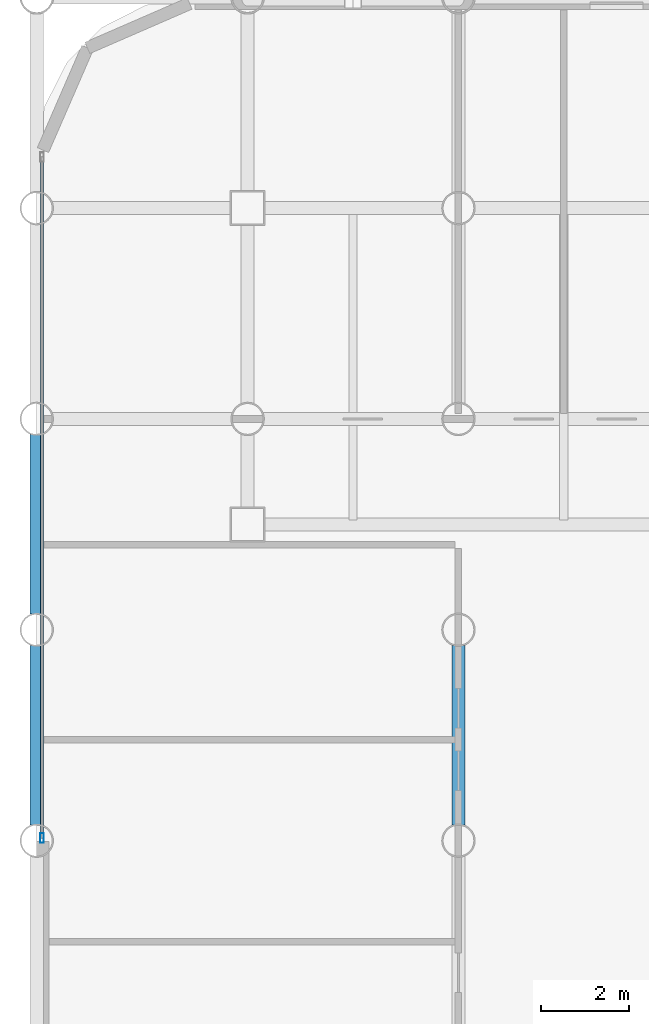
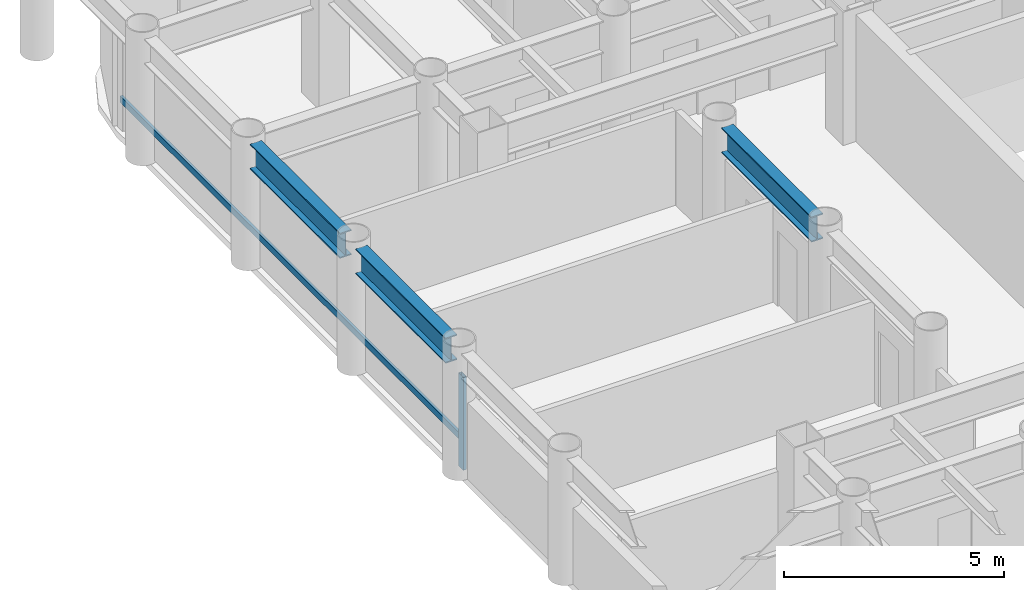
# One storey, part 4 of 19: 3 beams, 2 members, 1 element without a shape of its own.
"""IFC4 building model written with IfcOpenShell, lengths in metres."""

from ifc_helpers import new_model, si_unit, direction, frame, origin, origin_2d, place, context, subcontext, project, spatial, hollow_rectangle, i_section, extrude, material, layer, layer_set, material_profile, profile_set, type_object, element, aggregate, save


model = new_model("IFC4")

# Units and contexts
model_context = context("Model", 3, precision=1e-05, world=origin(), true_north=direction((0.0, 1.0)))
body_context = subcontext(model_context, "Body", "Model", "MODEL_VIEW")
ifc_project = project(units=[si_unit("LENGTHUNIT", "METRE"), si_unit("AREAUNIT", "SQUARE_METRE"), si_unit("VOLUMEUNIT", "CUBIC_METRE"), si_unit("PLANEANGLEUNIT", "RADIAN"), si_unit("MASSUNIT", "GRAM", prefix="KILO")], contexts=[model_context])

# Site, building, storey
site_placement = place(None, origin())
site = spatial("IfcSite", under=ifc_project, at=site_placement, CompositionType="ELEMENT")
building_placement = place(site_placement, origin())
building = spatial("IfcBuilding", under=site, at=building_placement, Name="Kallvorn Hotel Tower", CompositionType="ELEMENT")
storey_placement = place(building_placement, frame((0.0, 0.0, 63.300048828125)))
storey = spatial("IfcBuildingStorey", under=building, at=storey_placement, Name="L14", CompositionType="ELEMENT", Elevation=63.300048828125)

# Beams
ifc_material_1 = material(Name="Structural steel S355JR", Category="steel")
ifc_material_profile_1 = material_profile(ifc_material_1, i_section(OverallWidth=0.300048828125, OverallDepth=0.699951171875, WebThickness=0.01708984375, FlangeThickness=0.031982421875, at=origin_2d()), Name="HE 700 B")
ifc_profile_set_1 = profile_set([ifc_material_profile_1], Name="Structural steel S355JR")
beam_type = type_object("IfcBeamType", Name="BM_HE700B", PredefinedType="BEAM", material=ifc_profile_set_1)
beam_1_placement = place(storey_placement, frame((-28.800048828125, 0.35595703125, 3.169921875), z_axis=(0.0, 1.0, 0.0), x_axis=(-1.0, 0.0, 0.0)))
element("IfcBeam", 1, at=beam_1_placement, inside=storey, type_object=beam_type, Name="L15 Primary Y-Girder 77", PredefinedType="BEAM", context=body_context, shape_type="SweptSolid", body=[
    extrude(i_section(OverallWidth=0.300048828125, OverallDepth=0.699951171875, WebThickness=0.01708984375, FlangeThickness=0.031982421875, at=origin_2d()), origin(), (0.0, 0.0, 1.0), 4.088134765625),
])
beam_2_placement = place(storey_placement, frame((-28.800048828125, 5.156005859375, 3.169921875), z_axis=(0.0, 1.0, 0.0), x_axis=(-1.0, 0.0, 0.0)))
element("IfcBeam", 2, at=beam_2_placement, inside=storey, type_object=beam_type, Name="L15 Primary Y-Girder 78", PredefinedType="BEAM", context=body_context, shape_type="SweptSolid", body=[
    extrude(i_section(OverallWidth=0.300048828125, OverallDepth=0.699951171875, WebThickness=0.01708984375, FlangeThickness=0.031982421875, at=origin_2d()), origin(), (0.0, 0.0, 1.0), 4.087890625),
])
beam_3_placement = place(storey_placement, frame((-19.199951171875, 0.35595703125, 3.169921875), z_axis=(0.0, 1.0, 0.0), x_axis=(-1.0, 0.0, 0.0)))
element("IfcBeam", 3, at=beam_3_placement, inside=storey, type_object=beam_type, Name="L15 Primary Y-Girder 93", PredefinedType="BEAM", context=body_context, shape_type="SweptSolid", body=[
    extrude(i_section(OverallWidth=0.300048828125, OverallDepth=0.699951171875, WebThickness=0.01708984375, FlangeThickness=0.031982421875, at=origin_2d()), origin(), (0.0, 0.0, 1.0), 4.088134765625),
])

# Curtain wall, members
ifc_material_2 = material(Name="Thermally broken black-anodised aluminium AA 6063-T6", Category="aluminium")
ifc_layer = layer(ifc_material_2, 0.199951171875)
ifc_layer_set = layer_set([ifc_layer], Name="CW_SYS_3_HOTEL_LOW")
curtain_wall_type = type_object("IfcCurtainWallType", Name="CW_SYS_3_HOTEL_LOW", PredefinedType="USERDEFINED", material=ifc_layer_set)
curtain_wall_placement = place(storey_placement, origin())
curtain_wall = element("IfcCurtainWall", 4, at=curtain_wall_placement, inside=storey, type_object=curtain_wall_type, Name="L14 Dark-Glass Curtain Wall CW-L14-WN", ObjectType="UNITISED CURTAIN WALL", PredefinedType="USERDEFINED")
ifc_material_3 = material(Name="Thermally broken black-anodised aluminium AA 6063-T6", Category="aluminium")
ifc_material_profile_2 = material_profile(ifc_material_3, hollow_rectangle(XDim=0.080078125, YDim=0.219970703125, WallThickness=0.0048828125, at=origin_2d()), Name="MUL 220x80")
ifc_profile_set_2 = profile_set([ifc_material_profile_2], Name="Thermally broken black-anodised aluminium AA 6063-T6")
member_type_1 = type_object("IfcMemberType", Name="CW_MULLION_220x80", PredefinedType="MULLION", material=ifc_profile_set_2)
member_1_placement = place(storey_placement, frame((-28.679931640625, 0.06005859375, 0.02001953125), z_axis=(0.0, 0.0, 1.0), x_axis=(1.0, 0.0, 0.0)))
member_1 = element("IfcMember", 5, at=member_1_placement, type_object=member_type_1, Name="CW-L14-WN Mullion 00", PredefinedType="MULLION", context=body_context, shape_type="SweptSolid", body=[
    extrude(hollow_rectangle(XDim=0.080078125, YDim=0.219970703125, WallThickness=0.0048828125, at=origin_2d()), origin(), (0.0, 0.0, 1.0), 2.579833984375),
])
ifc_material_4 = material(Name="Thermally broken black-anodised aluminium AA 6063-T6", Category="aluminium")
ifc_material_profile_3 = material_profile(ifc_material_4, hollow_rectangle(XDim=0.070068359375, YDim=0.179931640625, WallThickness=0.00390625, at=origin_2d()), Name="TRN 180x70")
ifc_profile_set_3 = profile_set([ifc_material_profile_3], Name="Thermally broken black-anodised aluminium AA 6063-T6")
member_type_2 = type_object("IfcMemberType", Name="CW_TRANSOM_180x70", PredefinedType="USERDEFINED", material=ifc_profile_set_3)
member_2_placement = place(storey_placement, frame((-28.679931640625, 0.06005859375, 0.849853515625), z_axis=(0.0, 1.0, 0.0), x_axis=(-1.0, 0.0, 0.0)))
member_2 = element("IfcMember", 6, at=member_2_placement, type_object=member_type_2, Name="CW-L14-WN Transom 00M", ObjectType="TRANSOM", PredefinedType="USERDEFINED", context=body_context, shape_type="SweptSolid", body=[
    extrude(hollow_rectangle(XDim=0.070068359375, YDim=0.179931640625, WallThickness=0.00390625, at=origin_2d()), origin(), (0.0, 0.0, 1.0), 15.5),
])
aggregate(curtain_wall, [member_1, member_2])

save(model, "model.ifc")
